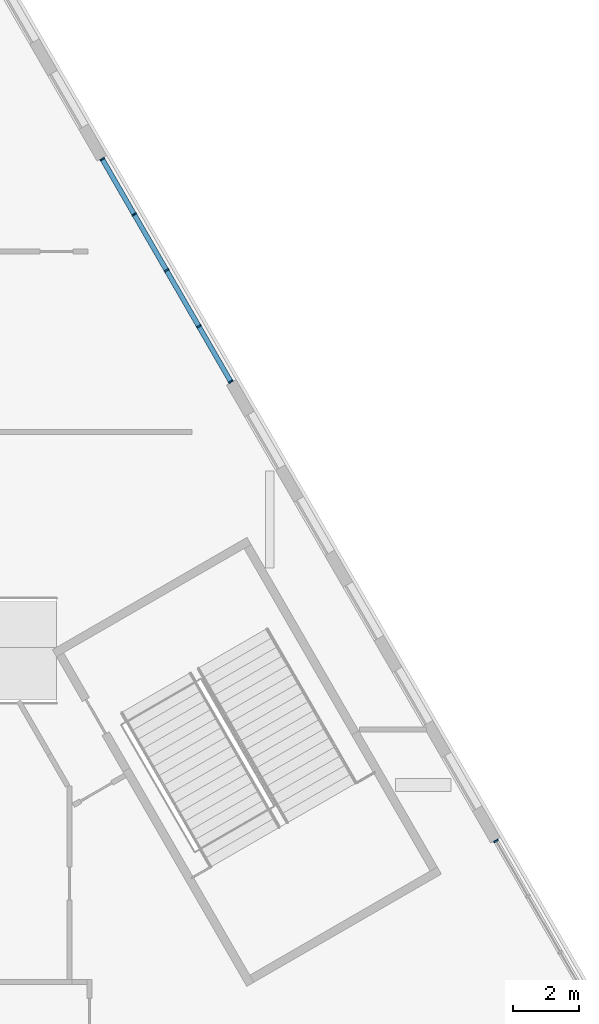
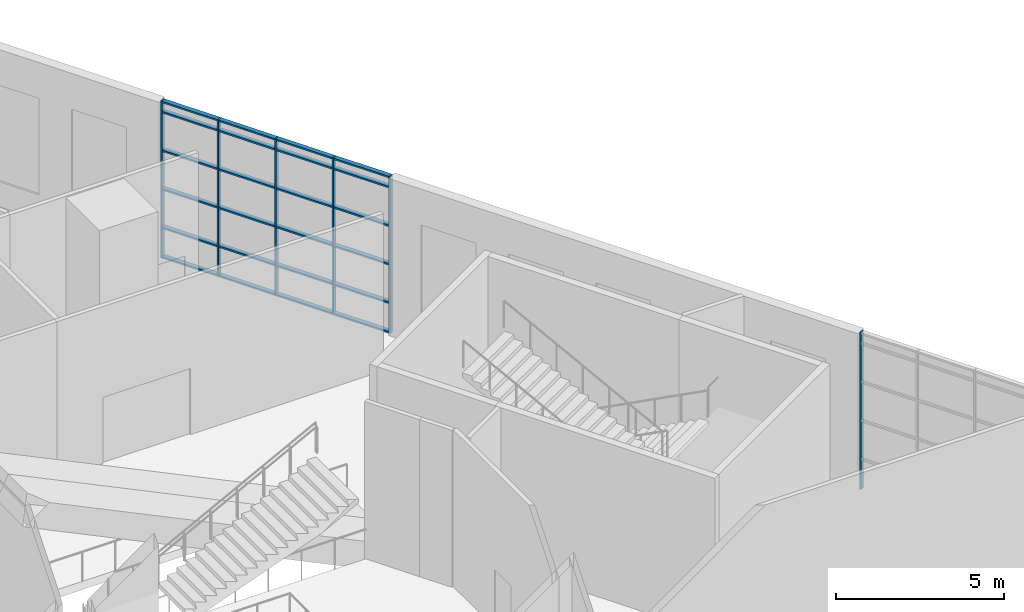
# One storey, part 9 of 27: 30 members, 2 elements without a shape of their own.
"""IFC4 building model written with IfcOpenShell, lengths in metres."""

from ifc_helpers import new_model, si_unit, direction, frame, origin, origin_2d, place, context, subcontext, project, spatial, rectangle, extrude, material, material_profile, profile_set, type_object, element, aggregate, save


model = new_model("IFC4")

# Units and contexts
model_context = context("Model", 3, precision=1e-05, world=origin(), true_north=direction((0.0, 1.0)))
body_context = subcontext(model_context, "Body", "Model", "MODEL_VIEW")
ifc_project = project(units=[si_unit("LENGTHUNIT", "METRE"), si_unit("AREAUNIT", "SQUARE_METRE"), si_unit("VOLUMEUNIT", "CUBIC_METRE"), si_unit("PLANEANGLEUNIT", "RADIAN"), si_unit("MASSUNIT", "GRAM", prefix="KILO")], contexts=[model_context])

# Site, building, storey
site_placement = place(None, origin())
site = spatial("IfcSite", under=ifc_project, at=site_placement, CompositionType="ELEMENT")
building_placement = place(site_placement, origin())
building = spatial("IfcBuilding", under=site, at=building_placement, Name="Fogline Exchange Tower", CompositionType="ELEMENT")
storey_placement = place(building_placement, frame((0.0, 0.0, 8.0)))
storey = spatial("IfcBuildingStorey", under=building, at=storey_placement, Name="L01", CompositionType="ELEMENT", Elevation=8.0)

# Curtain wall, member
ifc_material_1 = material(Name="Aluminium and glass", Category="aluminium")
curtain_wall_type = type_object("IfcCurtainWallType", Name="CW3", PredefinedType="NOTDEFINED", material=ifc_material_1)
curtain_wall_1_placement = place(storey_placement, origin())
curtain_wall_1 = element("IfcCurtainWall", 1, at=curtain_wall_1_placement, inside=storey, type_object=curtain_wall_type, Name="CW3 L01 E run 1", PredefinedType="NOTDEFINED")
ifc_material_2 = material(Name="Aluminium", Category="aluminium")
ifc_material_profile_1 = material_profile(ifc_material_2, rectangle(XDim=0.14990234375, YDim=0.050048828125, at=origin_2d()), Name="Mullion 50x150")
ifc_profile_set_1 = profile_set([ifc_material_profile_1], Name="Aluminium")
member_type_1 = type_object("IfcMemberType", Name="CW3-M", PredefinedType="MULLION", material=ifc_profile_set_1)
member_1_placement = place(storey_placement, frame((38.39404296875, 16.298095703125, 0.0), z_axis=(0.0, 0.0, 1.0), x_axis=(-0.866025393993, -0.500000016959, 0.0)))
member_1 = element("IfcMember", 2, at=member_1_placement, type_object=member_type_1, Name="CW3-P01-04 mullion 5", PredefinedType="MULLION", context=body_context, shape_type="SweptSolid", body=[
    extrude(rectangle(XDim=0.14990234375, YDim=0.050048828125, at=origin_2d()), origin(), (0.0, 0.0, 1.0), 5.699951171875),
])
aggregate(curtain_wall_1, [member_1])

# Curtain wall, members
curtain_wall_2_placement = place(storey_placement, origin())
curtain_wall_2 = element("IfcCurtainWall", 3, at=curtain_wall_2_placement, inside=storey, type_object=curtain_wall_type, Name="CW3 L01 E run 2", PredefinedType="NOTDEFINED")
member_2_placement = place(storey_placement, frame((30.3115234375, 30.29736328125, 0.0), z_axis=(0.0, 0.0, 1.0), x_axis=(-0.866025393993, -0.500000016959, 0.0)))
member_2 = element("IfcMember", 4, at=member_2_placement, type_object=member_type_1, Name="CW3-P01-05 mullion 1", PredefinedType="MULLION", context=body_context, shape_type="SweptSolid", body=[
    extrude(rectangle(XDim=0.14990234375, YDim=0.050048828125, at=origin_2d()), origin(), (0.0, 0.0, 1.0), 5.699951171875),
])
member_3_placement = place(storey_placement, frame((29.33837890625, 31.98291015625, 0.0), z_axis=(0.0, 0.0, 1.0), x_axis=(-0.866025393993, -0.500000016959, 0.0)))
member_3 = element("IfcMember", 5, at=member_3_placement, type_object=member_type_1, Name="CW3-P01-05 mullion 2", PredefinedType="MULLION", context=body_context, shape_type="SweptSolid", body=[
    extrude(rectangle(XDim=0.14990234375, YDim=0.050048828125, at=origin_2d()), origin(), (0.0, 0.0, 1.0), 5.699951171875),
])
member_4_placement = place(storey_placement, frame((28.352783203125, 33.68994140625, 0.0), z_axis=(0.0, 0.0, 1.0), x_axis=(-0.866025393993, -0.500000016959, 0.0)))
member_4 = element("IfcMember", 6, at=member_4_placement, type_object=member_type_1, Name="CW3-P01-05 mullion 3", PredefinedType="MULLION", context=body_context, shape_type="SweptSolid", body=[
    extrude(rectangle(XDim=0.14990234375, YDim=0.050048828125, at=origin_2d()), origin(), (0.0, 0.0, 1.0), 5.699951171875),
])
member_5_placement = place(storey_placement, frame((27.3671875, 35.397216796875, 0.0), z_axis=(0.0, 0.0, 1.0), x_axis=(-0.866025393993, -0.500000016959, 0.0)))
member_5 = element("IfcMember", 7, at=member_5_placement, type_object=member_type_1, Name="CW3-P01-05 mullion 4", PredefinedType="MULLION", context=body_context, shape_type="SweptSolid", body=[
    extrude(rectangle(XDim=0.14990234375, YDim=0.050048828125, at=origin_2d()), origin(), (0.0, 0.0, 1.0), 5.699951171875),
])
member_6_placement = place(storey_placement, frame((26.39404296875, 37.082763671875, 0.0), z_axis=(0.0, 0.0, 1.0), x_axis=(-0.866025393993, -0.500000016959, 0.0)))
member_6 = element("IfcMember", 8, at=member_6_placement, type_object=member_type_1, Name="CW3-P01-05 mullion 5", PredefinedType="MULLION", context=body_context, shape_type="SweptSolid", body=[
    extrude(rectangle(XDim=0.14990234375, YDim=0.050048828125, at=origin_2d()), origin(), (0.0, 0.0, 1.0), 5.699951171875),
])
ifc_material_profile_2 = material_profile(ifc_material_2, rectangle(XDim=0.14990234375, YDim=0.06005859375, at=origin_2d()), Name="Transom 60x150")
ifc_profile_set_2 = profile_set([ifc_material_profile_2], Name="Aluminium")
member_type_2 = type_object("IfcMemberType", Name="CW3-T", PredefinedType="USERDEFINED", material=ifc_profile_set_2)
member_7_placement = place(storey_placement, frame((30.299072265625, 30.319091796875, 0.030029296875), z_axis=(-0.500071657253, 0.865984028497, 0.0), x_axis=(-0.865984028497, -0.500071657253, 0.0)))
member_7 = element("IfcMember", 9, at=member_7_placement, type_object=member_type_2, Name="CW3-P01-05 transom 1.1", ObjectType="TRANSOM", PredefinedType="USERDEFINED", context=body_context, shape_type="SweptSolid", body=[
    extrude(rectangle(XDim=0.14990234375, YDim=0.06005859375, at=origin_2d()), origin(), (0.0, 0.0, 1.0), 1.896240234375),
])
member_8_placement = place(storey_placement, frame((30.299072265625, 30.319091796875, 1.10009765625), z_axis=(-0.500071657253, 0.865984028497, 0.0), x_axis=(-0.865984028497, -0.500071657253, 0.0)))
member_8 = element("IfcMember", 10, at=member_8_placement, type_object=member_type_2, Name="CW3-P01-05 transom 1.2", ObjectType="TRANSOM", PredefinedType="USERDEFINED", context=body_context, shape_type="SweptSolid", body=[
    extrude(rectangle(XDim=0.14990234375, YDim=0.06005859375, at=origin_2d()), origin(), (0.0, 0.0, 1.0), 1.896240234375),
])
member_9_placement = place(storey_placement, frame((30.299072265625, 30.319091796875, 2.5), z_axis=(-0.500071657253, 0.865984028497, 0.0), x_axis=(-0.865984028497, -0.500071657253, 0.0)))
member_9 = element("IfcMember", 11, at=member_9_placement, type_object=member_type_2, Name="CW3-P01-05 transom 1.3", ObjectType="TRANSOM", PredefinedType="USERDEFINED", context=body_context, shape_type="SweptSolid", body=[
    extrude(rectangle(XDim=0.14990234375, YDim=0.06005859375, at=origin_2d()), origin(), (0.0, 0.0, 1.0), 1.896240234375),
])
member_10_placement = place(storey_placement, frame((30.299072265625, 30.319091796875, 3.89990234375), z_axis=(-0.500071657253, 0.865984028497, 0.0), x_axis=(-0.865984028497, -0.500071657253, 0.0)))
member_10 = element("IfcMember", 12, at=member_10_placement, type_object=member_type_2, Name="CW3-P01-05 transom 1.4", ObjectType="TRANSOM", PredefinedType="USERDEFINED", context=body_context, shape_type="SweptSolid", body=[
    extrude(rectangle(XDim=0.14990234375, YDim=0.06005859375, at=origin_2d()), origin(), (0.0, 0.0, 1.0), 1.896240234375),
])
member_11_placement = place(storey_placement, frame((30.299072265625, 30.319091796875, 5.300048828125), z_axis=(-0.500071657253, 0.865984028497, 0.0), x_axis=(-0.865984028497, -0.500071657253, 0.0)))
member_11 = element("IfcMember", 13, at=member_11_placement, type_object=member_type_2, Name="CW3-P01-05 transom 1.5", ObjectType="TRANSOM", PredefinedType="USERDEFINED", context=body_context, shape_type="SweptSolid", body=[
    extrude(rectangle(XDim=0.14990234375, YDim=0.06005859375, at=origin_2d()), origin(), (0.0, 0.0, 1.0), 1.896240234375),
])
member_12_placement = place(storey_placement, frame((30.299072265625, 30.319091796875, 5.669921875), z_axis=(-0.500071657253, 0.865984028497, 0.0), x_axis=(-0.865984028497, -0.500071657253, 0.0)))
member_12 = element("IfcMember", 14, at=member_12_placement, type_object=member_type_2, Name="CW3-P01-05 transom 1.6", ObjectType="TRANSOM", PredefinedType="USERDEFINED", context=body_context, shape_type="SweptSolid", body=[
    extrude(rectangle(XDim=0.14990234375, YDim=0.06005859375, at=origin_2d()), origin(), (0.0, 0.0, 1.0), 1.896240234375),
])
member_13_placement = place(storey_placement, frame((29.325927734375, 32.00439453125, 0.030029296875), z_axis=(-0.499979088899, 0.866037476477, 0.0), x_axis=(-0.866037476477, -0.499979088899, 0.0)))
member_13 = element("IfcMember", 15, at=member_13_placement, type_object=member_type_2, Name="CW3-P01-05 transom 2.1", ObjectType="TRANSOM", PredefinedType="USERDEFINED", context=body_context, shape_type="SweptSolid", body=[
    extrude(rectangle(XDim=0.14990234375, YDim=0.06005859375, at=origin_2d()), origin(), (0.0, 0.0, 1.0), 1.92138671875),
])
member_14_placement = place(storey_placement, frame((29.325927734375, 32.00439453125, 1.10009765625), z_axis=(-0.499979088899, 0.866037476477, 0.0), x_axis=(-0.866037476477, -0.499979088899, 0.0)))
member_14 = element("IfcMember", 16, at=member_14_placement, type_object=member_type_2, Name="CW3-P01-05 transom 2.2", ObjectType="TRANSOM", PredefinedType="USERDEFINED", context=body_context, shape_type="SweptSolid", body=[
    extrude(rectangle(XDim=0.14990234375, YDim=0.06005859375, at=origin_2d()), origin(), (0.0, 0.0, 1.0), 1.92138671875),
])
member_15_placement = place(storey_placement, frame((29.325927734375, 32.00439453125, 2.5), z_axis=(-0.499979088899, 0.866037476477, 0.0), x_axis=(-0.866037476477, -0.499979088899, 0.0)))
member_15 = element("IfcMember", 17, at=member_15_placement, type_object=member_type_2, Name="CW3-P01-05 transom 2.3", ObjectType="TRANSOM", PredefinedType="USERDEFINED", context=body_context, shape_type="SweptSolid", body=[
    extrude(rectangle(XDim=0.14990234375, YDim=0.06005859375, at=origin_2d()), origin(), (0.0, 0.0, 1.0), 1.92138671875),
])
member_16_placement = place(storey_placement, frame((29.325927734375, 32.00439453125, 3.89990234375), z_axis=(-0.499979088899, 0.866037476477, 0.0), x_axis=(-0.866037476477, -0.499979088899, 0.0)))
member_16 = element("IfcMember", 18, at=member_16_placement, type_object=member_type_2, Name="CW3-P01-05 transom 2.4", ObjectType="TRANSOM", PredefinedType="USERDEFINED", context=body_context, shape_type="SweptSolid", body=[
    extrude(rectangle(XDim=0.14990234375, YDim=0.06005859375, at=origin_2d()), origin(), (0.0, 0.0, 1.0), 1.92138671875),
])
member_17_placement = place(storey_placement, frame((29.325927734375, 32.00439453125, 5.300048828125), z_axis=(-0.499979088899, 0.866037476477, 0.0), x_axis=(-0.866037476477, -0.499979088899, 0.0)))
member_17 = element("IfcMember", 19, at=member_17_placement, type_object=member_type_2, Name="CW3-P01-05 transom 2.5", ObjectType="TRANSOM", PredefinedType="USERDEFINED", context=body_context, shape_type="SweptSolid", body=[
    extrude(rectangle(XDim=0.14990234375, YDim=0.06005859375, at=origin_2d()), origin(), (0.0, 0.0, 1.0), 1.92138671875),
])
member_18_placement = place(storey_placement, frame((29.325927734375, 32.00439453125, 5.669921875), z_axis=(-0.499979088899, 0.866037476477, 0.0), x_axis=(-0.866037476477, -0.499979088899, 0.0)))
member_18 = element("IfcMember", 20, at=member_18_placement, type_object=member_type_2, Name="CW3-P01-05 transom 2.6", ObjectType="TRANSOM", PredefinedType="USERDEFINED", context=body_context, shape_type="SweptSolid", body=[
    extrude(rectangle(XDim=0.14990234375, YDim=0.06005859375, at=origin_2d()), origin(), (0.0, 0.0, 1.0), 1.92138671875),
])
member_19_placement = place(storey_placement, frame((28.34033203125, 33.711669921875, 0.030029296875), z_axis=(-0.500034110783, 0.866005709019, 0.0), x_axis=(-0.866005709019, -0.500034110783, 0.0)))
member_19 = element("IfcMember", 21, at=member_19_placement, type_object=member_type_2, Name="CW3-P01-05 transom 3.1", ObjectType="TRANSOM", PredefinedType="USERDEFINED", context=body_context, shape_type="SweptSolid", body=[
    extrude(rectangle(XDim=0.14990234375, YDim=0.06005859375, at=origin_2d()), origin(), (0.0, 0.0, 1.0), 1.921142578125),
])
member_20_placement = place(storey_placement, frame((28.34033203125, 33.711669921875, 1.10009765625), z_axis=(-0.500034110783, 0.866005709019, 0.0), x_axis=(-0.866005709019, -0.500034110783, 0.0)))
member_20 = element("IfcMember", 22, at=member_20_placement, type_object=member_type_2, Name="CW3-P01-05 transom 3.2", ObjectType="TRANSOM", PredefinedType="USERDEFINED", context=body_context, shape_type="SweptSolid", body=[
    extrude(rectangle(XDim=0.14990234375, YDim=0.06005859375, at=origin_2d()), origin(), (0.0, 0.0, 1.0), 1.921142578125),
])
member_21_placement = place(storey_placement, frame((28.34033203125, 33.711669921875, 2.5), z_axis=(-0.500034110783, 0.866005709019, 0.0), x_axis=(-0.866005709019, -0.500034110783, 0.0)))
member_21 = element("IfcMember", 23, at=member_21_placement, type_object=member_type_2, Name="CW3-P01-05 transom 3.3", ObjectType="TRANSOM", PredefinedType="USERDEFINED", context=body_context, shape_type="SweptSolid", body=[
    extrude(rectangle(XDim=0.14990234375, YDim=0.06005859375, at=origin_2d()), origin(), (0.0, 0.0, 1.0), 1.921142578125),
])
member_22_placement = place(storey_placement, frame((28.34033203125, 33.711669921875, 3.89990234375), z_axis=(-0.500034110783, 0.866005709019, 0.0), x_axis=(-0.866005709019, -0.500034110783, 0.0)))
member_22 = element("IfcMember", 24, at=member_22_placement, type_object=member_type_2, Name="CW3-P01-05 transom 3.4", ObjectType="TRANSOM", PredefinedType="USERDEFINED", context=body_context, shape_type="SweptSolid", body=[
    extrude(rectangle(XDim=0.14990234375, YDim=0.06005859375, at=origin_2d()), origin(), (0.0, 0.0, 1.0), 1.921142578125),
])
member_23_placement = place(storey_placement, frame((28.34033203125, 33.711669921875, 5.300048828125), z_axis=(-0.500034110783, 0.866005709019, 0.0), x_axis=(-0.866005709019, -0.500034110783, 0.0)))
member_23 = element("IfcMember", 25, at=member_23_placement, type_object=member_type_2, Name="CW3-P01-05 transom 3.5", ObjectType="TRANSOM", PredefinedType="USERDEFINED", context=body_context, shape_type="SweptSolid", body=[
    extrude(rectangle(XDim=0.14990234375, YDim=0.06005859375, at=origin_2d()), origin(), (0.0, 0.0, 1.0), 1.921142578125),
])
member_24_placement = place(storey_placement, frame((28.34033203125, 33.711669921875, 5.669921875), z_axis=(-0.500034110783, 0.866005709019, 0.0), x_axis=(-0.866005709019, -0.500034110783, 0.0)))
member_24 = element("IfcMember", 26, at=member_24_placement, type_object=member_type_2, Name="CW3-P01-05 transom 3.6", ObjectType="TRANSOM", PredefinedType="USERDEFINED", context=body_context, shape_type="SweptSolid", body=[
    extrude(rectangle(XDim=0.14990234375, YDim=0.06005859375, at=origin_2d()), origin(), (0.0, 0.0, 1.0), 1.921142578125),
])
member_25_placement = place(storey_placement, frame((27.354736328125, 35.418701171875, 0.030029296875), z_axis=(-0.500015905979, 0.866016220268, 0.0), x_axis=(-0.866016220268, -0.500015905979, 0.0)))
member_25 = element("IfcMember", 27, at=member_25_placement, type_object=member_type_2, Name="CW3-P01-05 transom 4.1", ObjectType="TRANSOM", PredefinedType="USERDEFINED", context=body_context, shape_type="SweptSolid", body=[
    extrude(rectangle(XDim=0.14990234375, YDim=0.06005859375, at=origin_2d()), origin(), (0.0, 0.0, 1.0), 1.896484375),
])
member_26_placement = place(storey_placement, frame((27.354736328125, 35.418701171875, 1.10009765625), z_axis=(-0.500015905979, 0.866016220268, 0.0), x_axis=(-0.866016220268, -0.500015905979, 0.0)))
member_26 = element("IfcMember", 28, at=member_26_placement, type_object=member_type_2, Name="CW3-P01-05 transom 4.2", ObjectType="TRANSOM", PredefinedType="USERDEFINED", context=body_context, shape_type="SweptSolid", body=[
    extrude(rectangle(XDim=0.14990234375, YDim=0.06005859375, at=origin_2d()), origin(), (0.0, 0.0, 1.0), 1.896484375),
])
member_27_placement = place(storey_placement, frame((27.354736328125, 35.418701171875, 2.5), z_axis=(-0.500015905979, 0.866016220268, 0.0), x_axis=(-0.866016220268, -0.500015905979, 0.0)))
member_27 = element("IfcMember", 29, at=member_27_placement, type_object=member_type_2, Name="CW3-P01-05 transom 4.3", ObjectType="TRANSOM", PredefinedType="USERDEFINED", context=body_context, shape_type="SweptSolid", body=[
    extrude(rectangle(XDim=0.14990234375, YDim=0.06005859375, at=origin_2d()), origin(), (0.0, 0.0, 1.0), 1.896484375),
])
member_28_placement = place(storey_placement, frame((27.354736328125, 35.418701171875, 3.89990234375), z_axis=(-0.500015905979, 0.866016220268, 0.0), x_axis=(-0.866016220268, -0.500015905979, 0.0)))
member_28 = element("IfcMember", 30, at=member_28_placement, type_object=member_type_2, Name="CW3-P01-05 transom 4.4", ObjectType="TRANSOM", PredefinedType="USERDEFINED", context=body_context, shape_type="SweptSolid", body=[
    extrude(rectangle(XDim=0.14990234375, YDim=0.06005859375, at=origin_2d()), origin(), (0.0, 0.0, 1.0), 1.896484375),
])
member_29_placement = place(storey_placement, frame((27.354736328125, 35.418701171875, 5.300048828125), z_axis=(-0.500015905979, 0.866016220268, 0.0), x_axis=(-0.866016220268, -0.500015905979, 0.0)))
member_29 = element("IfcMember", 31, at=member_29_placement, type_object=member_type_2, Name="CW3-P01-05 transom 4.5", ObjectType="TRANSOM", PredefinedType="USERDEFINED", context=body_context, shape_type="SweptSolid", body=[
    extrude(rectangle(XDim=0.14990234375, YDim=0.06005859375, at=origin_2d()), origin(), (0.0, 0.0, 1.0), 1.896484375),
])
member_30_placement = place(storey_placement, frame((27.354736328125, 35.418701171875, 5.669921875), z_axis=(-0.500015905979, 0.866016220268, 0.0), x_axis=(-0.866016220268, -0.500015905979, 0.0)))
member_30 = element("IfcMember", 32, at=member_30_placement, type_object=member_type_2, Name="CW3-P01-05 transom 4.6", ObjectType="TRANSOM", PredefinedType="USERDEFINED", context=body_context, shape_type="SweptSolid", body=[
    extrude(rectangle(XDim=0.14990234375, YDim=0.06005859375, at=origin_2d()), origin(), (0.0, 0.0, 1.0), 1.896484375),
])
aggregate(curtain_wall_2, [member_2, member_3, member_4, member_5, member_6, member_7, member_8, member_9, member_10, member_11, member_12, member_13, member_14, member_15, member_16, member_17, member_18, member_19, member_20, member_21, member_22, member_23, member_24, member_25, member_26, member_27, member_28, member_29, member_30])

save(model, "model.ifc")
